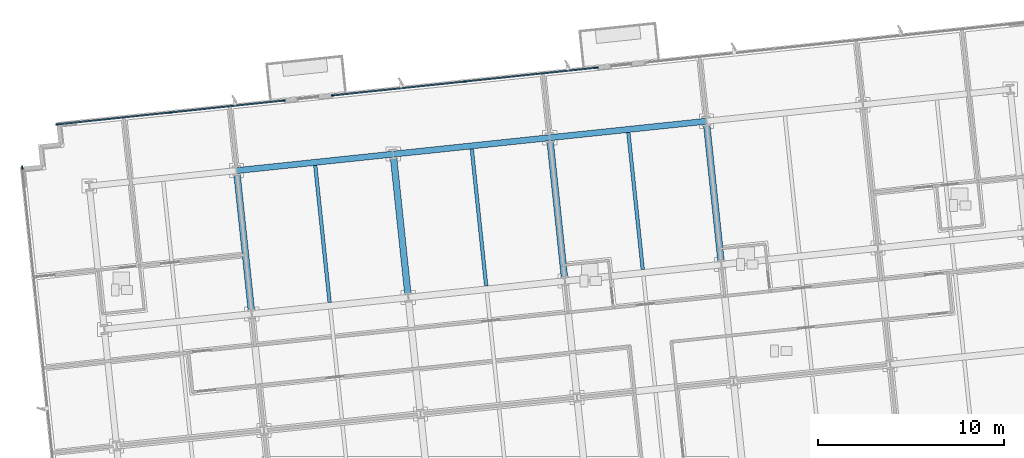
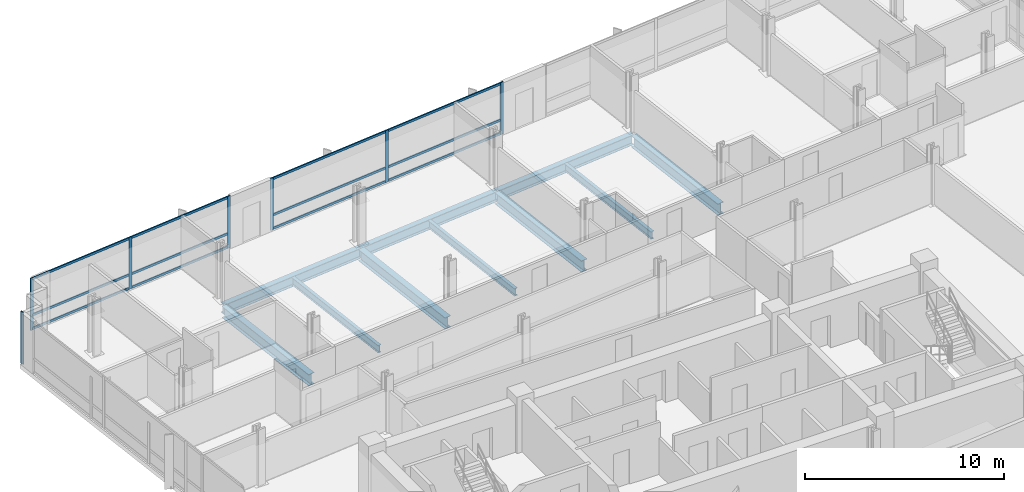
# One storey, part 7 of 18: 19 members, 10 beams, 3 elements without a shape of their own.
"""IFC4 building model written with IfcOpenShell, lengths in metres."""

from ifc_helpers import new_model, si_unit, direction, frame, origin, origin_2d, place, context, subcontext, project, spatial, rectangle, i_section, extrude, material, material_profile, profile_set, type_object, element, aggregate, save


model = new_model("IFC4")

# Units and contexts
model_context = context("Model", 3, precision=1e-05, world=origin(), true_north=direction((0.0, 1.0)))
body_context = subcontext(model_context, "Body", "Model", "MODEL_VIEW")
ifc_project = project(units=[si_unit("LENGTHUNIT", "METRE"), si_unit("AREAUNIT", "SQUARE_METRE"), si_unit("VOLUMEUNIT", "CUBIC_METRE"), si_unit("PLANEANGLEUNIT", "RADIAN"), si_unit("MASSUNIT", "GRAM", prefix="KILO")], contexts=[model_context])

# Site, building, storey
site_placement = place(None, origin())
site = spatial("IfcSite", under=ifc_project, at=site_placement, CompositionType="ELEMENT")
building_placement = place(site_placement, origin())
building = spatial("IfcBuilding", under=site, at=building_placement, Name="Solmavex Isthmus Hotel", CompositionType="ELEMENT")
storey_placement = place(building_placement, frame((0.0, 0.0, 123.60009765625)))
storey = spatial("IfcBuildingStorey", under=building, at=storey_placement, Name="L33", CompositionType="ELEMENT", Elevation=123.60009765625)

# Beams
ifc_material_1 = material(Name="Steel ASTM A992 Grade 50", Category="steel")
ifc_material_profile_1 = material_profile(ifc_material_1, i_section(OverallWidth=0.354736328125, OverallDepth=0.695556640625, WebThickness=0.015380859375, FlangeThickness=0.02490234375, FilletRadius=0.017822265625, at=origin_2d()), Name="W27X146")
ifc_profile_set_1 = profile_set([ifc_material_profile_1], Name="Steel ASTM A992 Grade 50")
beam_type_1 = type_object("IfcBeamType", Name="BM-BG-W27X146", PredefinedType="BEAM", material=ifc_profile_set_1)
for number, where, z_axis, x_axis, name in (
    (1, (-13.135498046875, 8.55859375, -0.60791015625), (-0.1045578893, 0.994518802128, 0.0), (-0.994518802128, -0.1045578893, 0.0), "Floor Beam L33-VG31"),
    (2, (-4.716064453125, 9.443603515625, -0.60791015625), (-0.104525307271, 0.994522227072, 0.0), (-0.994522227072, -0.104525307271, 0.0), "Floor Beam L33-VG35"),
):
    element("IfcBeam", number, at=place(storey_placement, frame(where, z_axis=z_axis, x_axis=x_axis)), inside=storey, type_object=beam_type_1, Name=name, PredefinedType="BEAM", context=body_context, shape_type="SweptSolid", body=[
        extrude(i_section(OverallWidth=0.354736328125, OverallDepth=0.695556640625, WebThickness=0.015380859375, FlangeThickness=0.02490234375, FilletRadius=0.017822265625, at=origin_2d()), origin(), (0.0, 0.0, 1.0), 7.4111328125),
    ])
beam_1_placement = place(storey_placement, frame((3.70361328125, 10.328369140625, -0.60791015625), z_axis=(-0.10452188296, 0.994522586964, 0.0), x_axis=(-0.994522586964, -0.10452188296, 0.0)))
element("IfcBeam", 3, at=beam_1_placement, inside=storey, type_object=beam_type_1, Name="Floor Beam L33-VG39", PredefinedType="BEAM", context=body_context, shape_type="SweptSolid", body=[
    extrude(i_section(OverallWidth=0.354736328125, OverallDepth=0.695556640625, WebThickness=0.015380859375, FlangeThickness=0.02490234375, FilletRadius=0.017822265625, at=origin_2d()), origin(), (0.0, 0.0, 1.0), 7.411376953125),
])
beam_2_placement = place(storey_placement, frame((12.123291015625, 11.21337890625, -0.60791015625), z_axis=(-0.104525307271, 0.994522227072, 0.0), x_axis=(-0.994522227072, -0.104525307271, 0.0)))
element("IfcBeam", 4, at=beam_2_placement, inside=storey, type_object=beam_type_1, Name="Floor Beam L33-VG42", PredefinedType="BEAM", context=body_context, shape_type="SweptSolid", body=[
    extrude(i_section(OverallWidth=0.354736328125, OverallDepth=0.695556640625, WebThickness=0.015380859375, FlangeThickness=0.02490234375, FilletRadius=0.017822265625, at=origin_2d()), origin(), (0.0, 0.0, 1.0), 7.4111328125),
])
ifc_material_profile_2 = material_profile(ifc_material_1, i_section(OverallWidth=0.1904296875, OverallDepth=0.456787109375, WebThickness=0.009033203125, FlangeThickness=0.014404296875, FilletRadius=0.0126953125, at=origin_2d()), Name="W18X50")
ifc_profile_set_2 = profile_set([ifc_material_profile_2], Name="Steel ASTM A992 Grade 50")
beam_type_2 = type_object("IfcBeamType", Name="BM-BJ-W18X50", PredefinedType="JOIST", material=ifc_profile_set_2)
beam_3_placement = place(storey_placement, frame((-8.92578125, 9.0009765625, -0.488525390625), z_axis=(-0.10452188296, 0.994522586964, 0.0), x_axis=(-0.994522586964, -0.10452188296, 0.0)))
element("IfcBeam", 5, at=beam_3_placement, inside=storey, type_object=beam_type_2, Name="Secondary Floor Joist L33-J08", PredefinedType="JOIST", context=body_context, shape_type="SweptSolid", body=[
    extrude(i_section(OverallWidth=0.1904296875, OverallDepth=0.456787109375, WebThickness=0.009033203125, FlangeThickness=0.014404296875, FilletRadius=0.0126953125, at=origin_2d()), origin(), (0.0, 0.0, 1.0), 7.411376953125),
])
for number, where, z_axis, x_axis, name in (
    (6, (-0.506103515625, 9.885986328125, -0.488525390625), (-0.104525307271, 0.994522227072, 0.0), (-0.994522227072, -0.104525307271, 0.0), "Secondary Floor Joist L33-J12"),
    (7, (7.913330078125, 10.77099609375, -0.488525390625), (-0.104525307271, 0.994522227072, 0.0), (-0.994522227072, -0.104525307271, 0.0), "Secondary Floor Joist L33-J15"),
):
    element("IfcBeam", number, at=place(storey_placement, frame(where, z_axis=z_axis, x_axis=x_axis)), inside=storey, type_object=beam_type_2, Name=name, PredefinedType="JOIST", context=body_context, shape_type="SweptSolid", body=[
        extrude(i_section(OverallWidth=0.1904296875, OverallDepth=0.456787109375, WebThickness=0.009033203125, FlangeThickness=0.014404296875, FilletRadius=0.0126953125, at=origin_2d()), origin(), (0.0, 0.0, 1.0), 7.4111328125),
    ])
ifc_material_profile_3 = material_profile(ifc_material_1, i_section(OverallWidth=0.326416015625, OverallDepth=0.621826171875, WebThickness=0.015380859375, FlangeThickness=0.0244140625, FilletRadius=0.01513671875, at=origin_2d()), Name="W24X131")
ifc_profile_set_3 = profile_set([ifc_material_profile_3], Name="Steel ASTM A992 Grade 50")
beam_type_3 = type_object("IfcBeamType", Name="BM-SP-W24X131", PredefinedType="SPANDREL", material=ifc_profile_set_3)
for number, where, z_axis, x_axis, name in (
    (8, (-13.927490234375, 16.091552734375, -0.571044921875), (0.994521085209, 0.104536171134, 0.0), (-0.104536171134, 0.994521085209, 0.0), "Floor Girder L33-UG20"),
    (9, (-5.5078125, 16.9765625, -0.571044921875), (0.994521085209, 0.104536171134, 0.0), (-0.104536171134, 0.994521085209, 0.0), "Floor Girder L33-UG21"),
    (10, (2.911865234375, 17.861572265625, -0.571044921875), (0.994521085209, 0.104536171134, 0.0), (-0.104536171134, 0.994521085209, 0.0), "Floor Girder L33-UG22"),
):
    element("IfcBeam", number, at=place(storey_placement, frame(where, z_axis=z_axis, x_axis=x_axis)), inside=storey, type_object=beam_type_3, Name=name, PredefinedType="SPANDREL", context=body_context, shape_type="SweptSolid", body=[
        extrude(i_section(OverallWidth=0.326416015625, OverallDepth=0.621826171875, WebThickness=0.015380859375, FlangeThickness=0.0244140625, FilletRadius=0.01513671875, at=origin_2d()), origin(), (0.0, 0.0, 1.0), 8.466064453125),
    ])

# Curtain wall, members
ifc_material_2 = material(Name="Aluminium alloy 6063-T6", Category="aluminium")
curtain_wall_type = type_object("IfcCurtainWallType", Name="CW-SYS-03", PredefinedType="NOTDEFINED", material=ifc_material_2)
curtain_wall_1_placement = place(storey_placement, origin())
curtain_wall_1 = element("IfcCurtainWall", 11, at=curtain_wall_1_placement, inside=storey, type_object=curtain_wall_type, Name="Stick Curtain Wall CWL-L33-N1", PredefinedType="NOTDEFINED")
ifc_material_profile_4 = material_profile(ifc_material_2, rectangle(XDim=0.070068359375, YDim=0.179931640625, at=origin_2d()), Name="CWM-70X180")
ifc_profile_set_4 = profile_set([ifc_material_profile_4], Name="Aluminium alloy 6063-T6")
member_type_1 = type_object("IfcMemberType", Name="CW-SYS-03-MUL", PredefinedType="MULLION", material=ifc_profile_set_4)
member_1_placement = place(storey_placement, frame((-23.572998046875, 18.5771484375, 0.0), z_axis=(0.0, 0.0, 1.0), x_axis=(-0.104528123665, 0.994521931062, 0.0)))
member_1 = element("IfcMember", 12, at=member_1_placement, type_object=member_type_1, Name="CW-03 mullion 1", PredefinedType="MULLION", context=body_context, shape_type="SweptSolid", body=[
    extrude(rectangle(XDim=0.070068359375, YDim=0.179931640625, at=origin_2d()), origin(), (0.0, 0.0, 1.0), 3.18994140625),
])
member_2_placement = place(storey_placement, frame((-17.490966796875, 19.21630859375, 0.0), z_axis=(0.0, 0.0, 1.0), x_axis=(-0.104528123665, 0.994521931062, 0.0)))
member_2 = element("IfcMember", 13, at=member_2_placement, type_object=member_type_1, Name="CW-03 mullion 2", PredefinedType="MULLION", context=body_context, shape_type="SweptSolid", body=[
    extrude(rectangle(XDim=0.070068359375, YDim=0.179931640625, at=origin_2d()), origin(), (0.0, 0.0, 1.0), 3.18994140625),
])
member_3_placement = place(storey_placement, frame((-11.408935546875, 19.85546875, 0.0), z_axis=(0.0, 0.0, 1.0), x_axis=(-0.104528123665, 0.994521931062, 0.0)))
member_3 = element("IfcMember", 14, at=member_3_placement, type_object=member_type_1, Name="CW-03 mullion 3", PredefinedType="MULLION", context=body_context, shape_type="SweptSolid", body=[
    extrude(rectangle(XDim=0.070068359375, YDim=0.179931640625, at=origin_2d()), origin(), (0.0, 0.0, 1.0), 3.18994140625),
])

curtain_wall_2_placement = place(storey_placement, origin())
curtain_wall_2 = element("IfcCurtainWall", 15, at=curtain_wall_2_placement, inside=storey, type_object=curtain_wall_type, Name="Stick Curtain Wall CWL-L33-N2", PredefinedType="NOTDEFINED")
member_4_placement = place(storey_placement, frame((-8.753662109375, 20.134521484375, 0.0), z_axis=(0.0, 0.0, 1.0), x_axis=(-0.104528313766, 0.994521911082, 0.0)))
member_4 = element("IfcMember", 16, at=member_4_placement, type_object=member_type_1, Name="CW-03 mullion 1", PredefinedType="MULLION", context=body_context, shape_type="SweptSolid", body=[
    extrude(rectangle(XDim=0.070068359375, YDim=0.179931640625, at=origin_2d()), origin(), (0.0, 0.0, 1.0), 3.18994140625),
])
member_5_placement = place(storey_placement, frame((-1.66162109375, 20.8798828125, 0.0), z_axis=(0.0, 0.0, 1.0), x_axis=(-0.104528313766, 0.994521911082, 0.0)))
member_5 = element("IfcMember", 17, at=member_5_placement, type_object=member_type_1, Name="CW-03 mullion 2", PredefinedType="MULLION", context=body_context, shape_type="SweptSolid", body=[
    extrude(rectangle(XDim=0.070068359375, YDim=0.179931640625, at=origin_2d()), origin(), (0.0, 0.0, 1.0), 3.18994140625),
])
member_6_placement = place(storey_placement, frame((5.43017578125, 21.62548828125, 0.0), z_axis=(0.0, 0.0, 1.0), x_axis=(-0.104528313766, 0.994521911082, 0.0)))
member_6 = element("IfcMember", 18, at=member_6_placement, type_object=member_type_1, Name="CW-03 mullion 3", PredefinedType="MULLION", context=body_context, shape_type="SweptSolid", body=[
    extrude(rectangle(XDim=0.070068359375, YDim=0.179931640625, at=origin_2d()), origin(), (0.0, 0.0, 1.0), 3.18994140625),
])

# Curtain wall, member
curtain_wall_3_placement = place(storey_placement, origin())
curtain_wall_3 = element("IfcCurtainWall", 19, at=curtain_wall_3_placement, inside=storey, type_object=curtain_wall_type, Name="Stick Curtain Wall CWL-L33-W1", PredefinedType="NOTDEFINED")
member_7_placement = place(storey_placement, frame((-25.455322265625, 16.25244140625, 0.0), z_axis=(0.0, 0.0, 1.0), x_axis=(-0.994521893044, -0.104528485381, 0.0)))
member_7 = element("IfcMember", 20, at=member_7_placement, type_object=member_type_1, Name="CW-03 mullion 6", PredefinedType="MULLION", context=body_context, shape_type="SweptSolid", body=[
    extrude(rectangle(XDim=0.070068359375, YDim=0.179931640625, at=origin_2d()), origin(), (0.0, 0.0, 1.0), 3.18994140625),
])
aggregate(curtain_wall_3, [member_7])

# Member
ifc_material_profile_5 = material_profile(ifc_material_2, rectangle(XDim=0.070068359375, YDim=0.139892578125, at=origin_2d()), Name="CWT-70X140")
ifc_profile_set_5 = profile_set([ifc_material_profile_5], Name="Aluminium alloy 6063-T6")
member_type_2 = type_object("IfcMemberType", Name="CW-SYS-03-TRN", PredefinedType="USERDEFINED", material=ifc_profile_set_5)
member_8_placement = place(storey_placement, frame((-23.5380859375, 18.58056640625, 0.06982421875), z_axis=(0.994518943174, 0.104556547709, 0.0), x_axis=(-0.104556547709, 0.994518943174, 0.0)))
member_8 = element("IfcMember", 21, at=member_8_placement, type_object=member_type_2, Name="CW-03 transom 1.1", ObjectType="TRANSOM", PredefinedType="USERDEFINED", context=body_context, shape_type="SweptSolid", body=[
    extrude(rectangle(XDim=0.070068359375, YDim=0.139892578125, at=origin_2d()), origin(), (0.0, 0.0, 1.0), 6.04541015625),
])

member_9_placement = place(storey_placement, frame((-23.5380859375, 18.58056640625, 0.89990234375), z_axis=(0.994518943174, 0.104556547709, 0.0), x_axis=(-0.104556547709, 0.994518943174, 0.0)))
member_9 = element("IfcMember", 22, at=member_9_placement, type_object=member_type_2, Name="CW-03 transom 1.2", ObjectType="TRANSOM", PredefinedType="USERDEFINED", context=body_context, shape_type="SweptSolid", body=[
    extrude(rectangle(XDim=0.070068359375, YDim=0.139892578125, at=origin_2d()), origin(), (0.0, 0.0, 1.0), 6.04541015625),
])

member_10_placement = place(storey_placement, frame((-23.5380859375, 18.58056640625, 3.119873046875), z_axis=(0.994518943174, 0.104556547709, 0.0), x_axis=(-0.104556547709, 0.994518943174, 0.0)))
member_10 = element("IfcMember", 23, at=member_10_placement, type_object=member_type_2, Name="CW-03 transom 1.3", ObjectType="TRANSOM", PredefinedType="USERDEFINED", context=body_context, shape_type="SweptSolid", body=[
    extrude(rectangle(XDim=0.070068359375, YDim=0.139892578125, at=origin_2d()), origin(), (0.0, 0.0, 1.0), 6.04541015625),
])

member_11_placement = place(storey_placement, frame((-17.456298828125, 19.219970703125, 0.06982421875), z_axis=(0.994523582882, 0.104512406403, 0.0), x_axis=(-0.104512406403, 0.994523582882, 0.0)))
member_11 = element("IfcMember", 24, at=member_11_placement, type_object=member_type_2, Name="CW-03 transom 2.1", ObjectType="TRANSOM", PredefinedType="USERDEFINED", context=body_context, shape_type="SweptSolid", body=[
    extrude(rectangle(XDim=0.070068359375, YDim=0.139892578125, at=origin_2d()), origin(), (0.0, 0.0, 1.0), 6.045654296875),
])

member_12_placement = place(storey_placement, frame((-17.456298828125, 19.219970703125, 0.89990234375), z_axis=(0.994523582882, 0.104512406403, 0.0), x_axis=(-0.104512406403, 0.994523582882, 0.0)))
member_12 = element("IfcMember", 25, at=member_12_placement, type_object=member_type_2, Name="CW-03 transom 2.2", ObjectType="TRANSOM", PredefinedType="USERDEFINED", context=body_context, shape_type="SweptSolid", body=[
    extrude(rectangle(XDim=0.070068359375, YDim=0.139892578125, at=origin_2d()), origin(), (0.0, 0.0, 1.0), 6.045654296875),
])

member_13_placement = place(storey_placement, frame((-17.456298828125, 19.219970703125, 3.119873046875), z_axis=(0.994523582882, 0.104512406403, 0.0), x_axis=(-0.104512406403, 0.994523582882, 0.0)))
member_13 = element("IfcMember", 26, at=member_13_placement, type_object=member_type_2, Name="CW-03 transom 2.3", ObjectType="TRANSOM", PredefinedType="USERDEFINED", context=body_context, shape_type="SweptSolid", body=[
    extrude(rectangle(XDim=0.070068359375, YDim=0.139892578125, at=origin_2d()), origin(), (0.0, 0.0, 1.0), 6.045654296875),
])

aggregate(curtain_wall_1, [member_1, member_2, member_3, member_8, member_9, member_10, member_11, member_12, member_13])

member_14_placement = place(storey_placement, frame((-8.71875, 20.13818359375, 0.06982421875), z_axis=(0.994522301958, 0.104524594751, 0.0), x_axis=(-0.104524594751, 0.994522301958, 0.0)))
member_14 = element("IfcMember", 27, at=member_14_placement, type_object=member_type_2, Name="CW-03 transom 1.1", ObjectType="TRANSOM", PredefinedType="USERDEFINED", context=body_context, shape_type="SweptSolid", body=[
    extrude(rectangle(XDim=0.070068359375, YDim=0.139892578125, at=origin_2d()), origin(), (0.0, 0.0, 1.0), 7.060791015625),
])

member_15_placement = place(storey_placement, frame((-8.71875, 20.13818359375, 0.89990234375), z_axis=(0.994522301958, 0.104524594751, 0.0), x_axis=(-0.104524594751, 0.994522301958, 0.0)))
member_15 = element("IfcMember", 28, at=member_15_placement, type_object=member_type_2, Name="CW-03 transom 1.2", ObjectType="TRANSOM", PredefinedType="USERDEFINED", context=body_context, shape_type="SweptSolid", body=[
    extrude(rectangle(XDim=0.070068359375, YDim=0.139892578125, at=origin_2d()), origin(), (0.0, 0.0, 1.0), 7.060791015625),
])

member_16_placement = place(storey_placement, frame((-8.71875, 20.13818359375, 3.119873046875), z_axis=(0.994522301958, 0.104524594751, 0.0), x_axis=(-0.104524594751, 0.994522301958, 0.0)))
member_16 = element("IfcMember", 29, at=member_16_placement, type_object=member_type_2, Name="CW-03 transom 1.3", ObjectType="TRANSOM", PredefinedType="USERDEFINED", context=body_context, shape_type="SweptSolid", body=[
    extrude(rectangle(XDim=0.070068359375, YDim=0.139892578125, at=origin_2d()), origin(), (0.0, 0.0, 1.0), 7.060791015625),
])

member_17_placement = place(storey_placement, frame((-1.626953125, 20.883544921875, 0.06982421875), z_axis=(0.994519085079, 0.104555197931, 0.0), x_axis=(-0.104555197931, 0.994519085079, 0.0)))
member_17 = element("IfcMember", 30, at=member_17_placement, type_object=member_type_2, Name="CW-03 transom 2.1", ObjectType="TRANSOM", PredefinedType="USERDEFINED", context=body_context, shape_type="SweptSolid", body=[
    extrude(rectangle(XDim=0.070068359375, YDim=0.139892578125, at=origin_2d()), origin(), (0.0, 0.0, 1.0), 7.061279296875),
])

member_18_placement = place(storey_placement, frame((-1.626953125, 20.883544921875, 0.89990234375), z_axis=(0.994519085079, 0.104555197931, 0.0), x_axis=(-0.104555197931, 0.994519085079, 0.0)))
member_18 = element("IfcMember", 31, at=member_18_placement, type_object=member_type_2, Name="CW-03 transom 2.2", ObjectType="TRANSOM", PredefinedType="USERDEFINED", context=body_context, shape_type="SweptSolid", body=[
    extrude(rectangle(XDim=0.070068359375, YDim=0.139892578125, at=origin_2d()), origin(), (0.0, 0.0, 1.0), 7.061279296875),
])

member_19_placement = place(storey_placement, frame((-1.626953125, 20.883544921875, 3.119873046875), z_axis=(0.994519085079, 0.104555197931, 0.0), x_axis=(-0.104555197931, 0.994519085079, 0.0)))
member_19 = element("IfcMember", 32, at=member_19_placement, type_object=member_type_2, Name="CW-03 transom 2.3", ObjectType="TRANSOM", PredefinedType="USERDEFINED", context=body_context, shape_type="SweptSolid", body=[
    extrude(rectangle(XDim=0.070068359375, YDim=0.139892578125, at=origin_2d()), origin(), (0.0, 0.0, 1.0), 7.061279296875),
])

aggregate(curtain_wall_2, [member_4, member_5, member_6, member_14, member_15, member_16, member_17, member_18, member_19])

save(model, "model.ifc")
